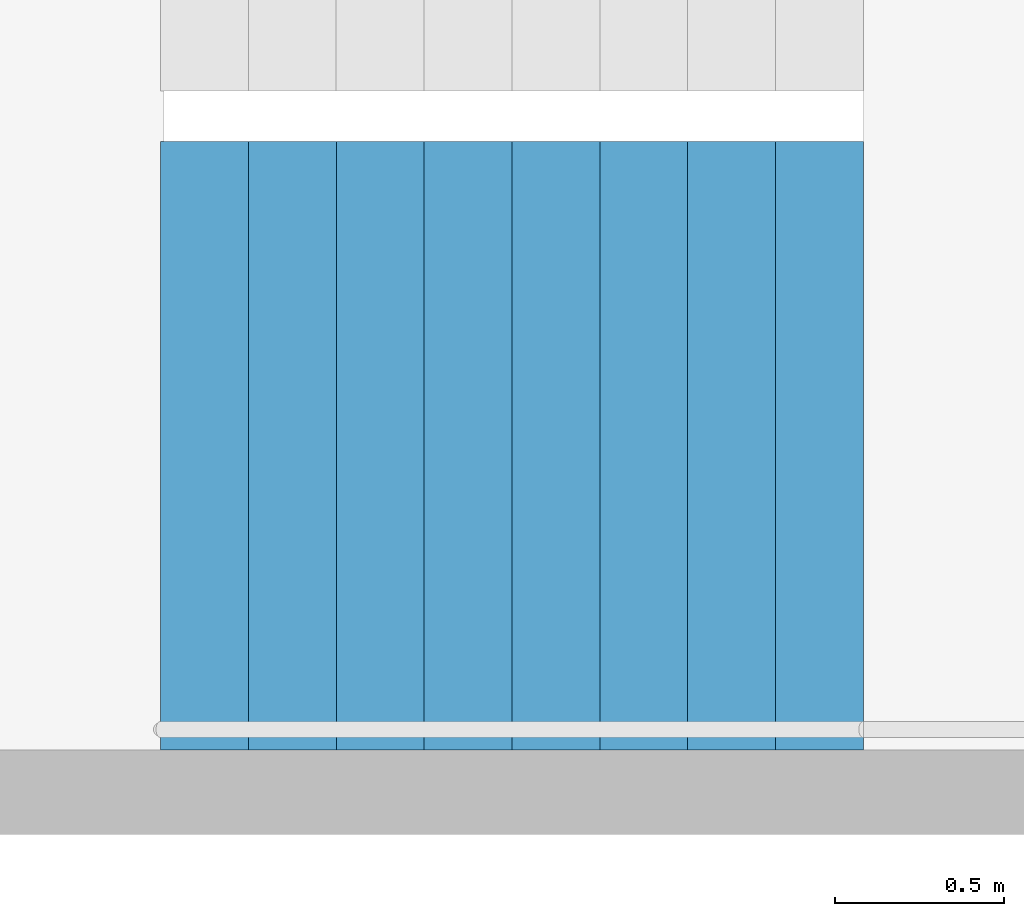
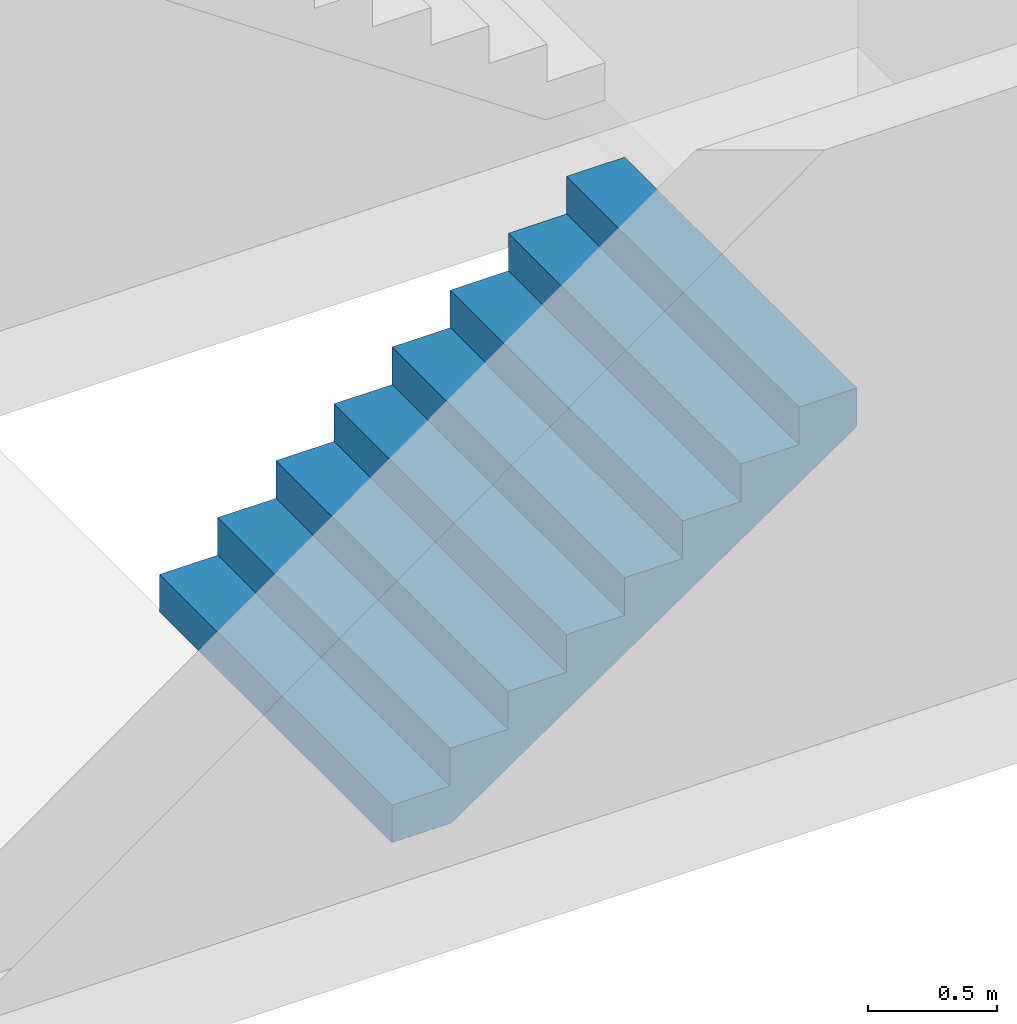
# One storey, part 23 of 29: 1 stair flight, 1 element without a shape of its own.
"""IFC4 building model written with IfcOpenShell, lengths in metres."""

import ifcopenshell
import ifcopenshell.guid

model = None  # the IFC model being written
_history = None  # IfcOwnerHistory: only IFC2X3 demands one
_inside = {}  # id of a spatial element -> (the spatial element, [elements in it])
_under = {}  # id of a project, library or spatial element -> (it, [spatial elements below it])
_declared = {}  # id of a project -> (the project, [libraries it declares])
_typed = {}  # id of a type object -> (the type object, [elements of that type])
_made_of = {}  # id of a material, layer set ... -> (it, [elements and type objects made of it])


def new_model(schema):
    """Start an empty IFC model of exactly this schema.

    Asked for "IFC4X3", IfcOpenShell would pick the latest addendum, in which some entities
    have other attributes; the version numbers below select the first issue.
    IFC2X3 requires an IfcOwnerHistory on every rooted entity: one is made here for all.
    """
    global model, _history
    if schema == "IFC4X3":
        model = ifcopenshell.file(schema_version=(4, 3, 0, 0))
    else:
        model = ifcopenshell.file(schema=schema)
    _inside.clear()
    _under.clear()
    _declared.clear()
    _typed.clear()
    _made_of.clear()
    _history = None
    if model.schema == "IFC2X3":
        org = make("IfcOrganization", Name="unknown")
        user = make(
            "IfcPersonAndOrganization",
            ThePerson=make("IfcPerson", FamilyName="unknown"),
            TheOrganization=org,
        )
        app = make(
            "IfcApplication",
            ApplicationDeveloper=org,
            Version="unknown",
            ApplicationFullName="unknown",
            ApplicationIdentifier="unknown",
        )
        _history = make(
            "IfcOwnerHistory",
            OwningUser=user,
            OwningApplication=app,
            ChangeAction="ADDED",
            CreationDate=0,
        )
    return model


def make(cls, **values):
    """One entity of the class cls with the attributes given. An attribute that is None is left unset."""
    return model.create_entity(
        cls, **{name: value for name, value in values.items() if value is not None}
    )


def rooted(cls, **values):
    """An entity with a GlobalId (a new one), such as an element, a storey or a relation."""
    return make(cls, GlobalId=ifcopenshell.guid.new(), OwnerHistory=_history, **values)


def si_unit(unit_type, name, prefix=None):
    """IfcSIUnit, for example si_unit("LENGTHUNIT", "METRE", prefix="MILLI")."""
    return make("IfcSIUnit", UnitType=unit_type, Prefix=prefix, Name=name)


def assignment(units):
    """IfcUnitAssignment: the units of a project."""
    return None if units is None else make("IfcUnitAssignment", Units=units)


def point(xyz):
    """IfcCartesianPoint."""
    return None if xyz is None else make("IfcCartesianPoint", Coordinates=xyz)


def direction(xyz):
    """IfcDirection."""
    return None if xyz is None else make("IfcDirection", DirectionRatios=xyz)


def frame(location, z_axis=None, x_axis=None):
    """IfcAxis2Placement3D, a coordinate frame: its origin and axes. An axis left out is left unset."""
    return make(
        "IfcAxis2Placement3D",
        Location=point(location),
        Axis=direction(z_axis),
        RefDirection=direction(x_axis),
    )


def origin():
    """The frame at (0, 0, 0) with its axes left unset."""
    return frame((0.0, 0.0, 0.0))


def place(relative_to, where):
    """IfcLocalPlacement: puts the frame where relative to a parent placement (None: the world)."""
    return make(
        "IfcLocalPlacement", PlacementRelTo=relative_to, RelativePlacement=where
    )


def context(
    kind, dimensions, precision=None, world=None, true_north=None, identifier=None
):
    """IfcGeometricRepresentationContext, for example the 3D "Model" context."""
    return make(
        "IfcGeometricRepresentationContext",
        ContextIdentifier=identifier,
        ContextType=kind,
        CoordinateSpaceDimension=dimensions,
        Precision=precision,
        WorldCoordinateSystem=world,
        TrueNorth=true_north,
    )


def subcontext(parent, identifier, kind, view, scale=None):
    """IfcGeometricRepresentationSubContext, for example "Body" below "Model"."""
    return make(
        "IfcGeometricRepresentationSubContext",
        ContextIdentifier=identifier,
        ContextType=kind,
        ParentContext=parent,
        TargetScale=scale,
        TargetView=view,
    )


def project(units=None, contexts=None):
    """IfcProject with its units and contexts."""
    return rooted(
        "IfcProject",
        Name="project",
        RepresentationContexts=contexts,
        UnitsInContext=assignment(units),
    )


def spatial(cls, under=None, at=None, **own):
    """A site, building, storey or space (cls), placed at a placement, below another one or the project."""
    s = rooted(cls, ObjectPlacement=at, **own)
    if under is not None:
        _under.setdefault(under.id(), (under, []))[1].append(s)
    return s


def point_list(points):
    """IfcCartesianPointList2D or 3D."""
    cls = (
        "IfcCartesianPointList2D" if len(points[0]) == 2 else "IfcCartesianPointList3D"
    )
    return make(cls, CoordList=points)


def triangles(points, corners, closed=None, point_numbers=None):
    """IfcTriangulatedFaceSet: each triangle names its three corners, points numbered from 1."""
    return make(
        "IfcTriangulatedFaceSet",
        Coordinates=point_list(points),
        Closed=closed,
        CoordIndex=corners,
        PnIndex=point_numbers,
    )


def shape(context_of_items, identifier, shape_type, items):
    """IfcShapeRepresentation: the items that make up one representation, for example the "Body"."""
    return make(
        "IfcShapeRepresentation",
        ContextOfItems=context_of_items,
        RepresentationIdentifier=identifier,
        RepresentationType=shape_type,
        Items=items,
    )


def material(Name=None, Category=None):
    """IfcMaterial."""
    return make("IfcMaterial", Name=Name, Category=Category)


def made_of(thing, what):
    """Note that an element or type object is made of a material, layer set ...; save() writes the relation."""
    if what is not None:
        _made_of.setdefault(what.id(), (what, []))[1].append(thing)
    return thing


def type_object(cls, material=None, **own):
    """A type object (cls), such as IfcWallType, which elements share."""
    return made_of(rooted(cls, **own), material)


def element(
    cls,
    number,
    at=None,
    inside=None,
    cuts=None,
    type_object=None,
    material=None,
    context=None,
    identifier="Body",
    shape_type=None,
    held_by="IfcProductDefinitionShape",
    body=None,
    shapes=None,
    **own,
):
    """One element of the class cls, such as IfcWall. Its Tag is "e" and its number.

    at: its placement. inside: the storey or other place that contains it. cuts: it is an
    opening in that element (IfcRelVoidsElement). A single representation is given by context,
    identifier, shape_type and body (its items); several are given by shapes. held_by: the class
    of the entity that holds the representations. save() writes the other relations.
    """
    e = rooted(cls, Tag="e%d" % number, ObjectPlacement=at, **own)
    if body is not None:
        shapes = [shape(context, identifier, shape_type, body)]
    if shapes is not None:
        e.Representation = make(held_by, Representations=shapes)
    if inside is not None:
        _inside.setdefault(inside.id(), (inside, []))[1].append(e)
    if cuts is not None:
        rooted(
            "IfcRelVoidsElement", RelatingBuildingElement=cuts, RelatedOpeningElement=e
        )
    if type_object is not None:
        _typed.setdefault(type_object.id(), (type_object, []))[1].append(e)
    return made_of(e, material)


def aggregate(whole, parts):
    """IfcRelAggregates: a whole, such as a stair, and the parts it consists of."""
    return rooted("IfcRelAggregates", RelatingObject=whole, RelatedObjects=parts)


def save(model, path):
    """Write the relations noted so far, then the file.

    IfcRelAggregates (storeys below a building ...), IfcRelContainedInSpatialStructure (elements
    in a storey), IfcRelDefinesByType, IfcRelAssociatesMaterial and IfcRelDeclares: one each for
    every whole, place, type object, material and project.
    """
    for whole, parts in _under.values():
        aggregate(whole, parts)
    for where, things in _inside.values():
        rooted(
            "IfcRelContainedInSpatialStructure",
            RelatedElements=things,
            RelatingStructure=where,
        )
    for kind, things in _typed.values():
        rooted("IfcRelDefinesByType", RelatedObjects=things, RelatingType=kind)
    for what, things in _made_of.values():
        rooted("IfcRelAssociatesMaterial", RelatedObjects=things, RelatingMaterial=what)
    for by, libraries in _declared.values():
        rooted("IfcRelDeclares", RelatingContext=by, RelatedDefinitions=libraries)
    model.write(path)


model = new_model("IFC4")

# Units and contexts
model_context = context("Model", 3, precision=1e-05, world=origin(), true_north=direction((0.0, 1.0)))
body_context = subcontext(model_context, "Body", "Model", "MODEL_VIEW")
ifc_project = project(units=[si_unit("LENGTHUNIT", "METRE"), si_unit("AREAUNIT", "SQUARE_METRE"), si_unit("VOLUMEUNIT", "CUBIC_METRE"), si_unit("PLANEANGLEUNIT", "RADIAN"), si_unit("MASSUNIT", "GRAM", prefix="KILO")], contexts=[model_context])

# Site, building, storey
site_placement = place(None, origin())
site = spatial("IfcSite", under=ifc_project, at=site_placement, CompositionType="ELEMENT")
building_placement = place(site_placement, origin())
building = spatial("IfcBuilding", under=site, at=building_placement, Name="Hakoniwa Tower and Hamabe Station Hall", CompositionType="ELEMENT")
storey_placement = place(building_placement, frame((0.0, 0.0, 88.199951171875)))
storey = spatial("IfcBuildingStorey", under=building, at=storey_placement, Name="L24", CompositionType="ELEMENT", Elevation=88.199951171875)

# Stair, stair flight
ifc_material_1 = material(Name="Concrete C40", Category="concrete")
stair_type = type_object("IfcStairType", Name="ESCAPE STAIR 1800", PredefinedType="HALF_TURN_STAIR", material=ifc_material_1)
stair_placement = place(storey_placement, origin())
stair = element("IfcStair", 1, at=stair_placement, inside=storey, type_object=stair_type, Name="Escape stair ST-1 L24", PredefinedType="HALF_TURN_STAIR")
ifc_material_2 = material(Name="Concrete C40", Category="concrete")
stair_flight_type = type_object("IfcStairFlightType", Name="STAIR FLIGHT 1800", PredefinedType="STRAIGHT", material=ifc_material_2)
stair_flight_placement = place(storey_placement, frame((-24.39990234375, 4.64990234375, 0.0), z_axis=(0.0, 0.0, 1.0), x_axis=(1.0, 0.0, 0.0)))
stair_flight = element("IfcStairFlight", 2, at=stair_flight_placement, type_object=stair_flight_type, Name="ST-1 flight 1", NumberOfRisers=9, NumberOfTreads=8, PredefinedType="STRAIGHT", RiserHeight=0.177777778, TreadLength=0.26, context=body_context, shape_type="Tessellation", body=[
    triangles([(0.0, 0.89990234375, 0.0), (0.260009765625, 0.89990234375, 0.0), (0.265625, 0.89990234375, 0.0), (0.52001953125, 0.89990234375, 0.174072265625), (0.780029296875, 0.89990234375, 0.351806640625), (1.0400390625, 0.89990234375, 0.529541015625), (1.300048828125, 0.89990234375, 0.707275390625), (1.56005859375, 0.89990234375, 0.885009765625), (1.820068359375, 0.89990234375, 1.062744140625), (2.080078125, 0.89990234375, 1.24072265625), (2.080078125, 0.89990234375, 1.422119140625), (1.820068359375, 0.89990234375, 1.422119140625), (1.820068359375, 0.89990234375, 1.244384765625), (1.56005859375, 0.89990234375, 1.244384765625), (1.56005859375, 0.89990234375, 1.066650390625), (1.300048828125, 0.89990234375, 1.066650390625), (1.300048828125, 0.89990234375, 0.888916015625), (1.0400390625, 0.89990234375, 0.888916015625), (1.0400390625, 0.89990234375, 0.711181640625), (0.780029296875, 0.89990234375, 0.711181640625), (0.780029296875, 0.89990234375, 0.533447265625), (0.52001953125, 0.89990234375, 0.533447265625), (0.52001953125, 0.89990234375, 0.35546875), (0.265625, 0.89990234375, 0.35546875), (0.260009765625, 0.89990234375, 0.35546875), (0.260009765625, 0.89990234375, 0.177734375), (0.0, 0.89990234375, 0.177734375), (0.0, 0.06005859375, 0.0), (0.260009765625, 0.06005859375, 0.0), (0.265625, 0.06005859375, 0.0), (0.52001953125, 0.06005859375, 0.174072265625), (0.780029296875, 0.06005859375, 0.351806640625), (1.0400390625, 0.06005859375, 0.529541015625), (1.300048828125, 0.06005859375, 0.707275390625), (1.56005859375, 0.06005859375, 0.885009765625), (1.820068359375, 0.06005859375, 1.062744140625), (2.080078125, 0.06005859375, 1.24072265625), (2.080078125, 0.06005859375, 1.422119140625), (1.820068359375, 0.06005859375, 1.422119140625), (1.820068359375, 0.06005859375, 1.244384765625), (1.56005859375, 0.06005859375, 1.244384765625), (1.56005859375, 0.06005859375, 1.066650390625), (1.300048828125, 0.06005859375, 1.066650390625), (1.300048828125, 0.06005859375, 0.888916015625), (1.0400390625, 0.06005859375, 0.888916015625), (1.0400390625, 0.06005859375, 0.711181640625), (0.780029296875, 0.06005859375, 0.711181640625), (0.780029296875, 0.06005859375, 0.533447265625), (0.52001953125, 0.06005859375, 0.533447265625), (0.52001953125, 0.06005859375, 0.35546875), (0.265625, 0.06005859375, 0.35546875), (0.260009765625, 0.06005859375, 0.35546875), (0.260009765625, 0.06005859375, 0.177734375), (0.0, 0.06005859375, 0.177734375), (0.0, 0.04296875, 0.0), (0.260009765625, 0.04296875, 0.0), (0.265625, 0.04296875, 0.0), (0.52001953125, 0.04296875, 0.174072265625), (0.780029296875, 0.04296875, 0.351806640625), (1.0400390625, 0.04296875, 0.529541015625), (1.300048828125, 0.04296875, 0.707275390625), (1.56005859375, 0.04296875, 0.885009765625), (1.820068359375, 0.04296875, 1.062744140625), (2.080078125, 0.04296875, 1.24072265625), (2.080078125, 0.04296875, 1.422119140625), (1.820068359375, 0.04296875, 1.422119140625), (1.820068359375, 0.04296875, 1.244384765625), (1.56005859375, 0.04296875, 1.244384765625), (1.56005859375, 0.04296875, 1.066650390625), (1.300048828125, 0.04296875, 1.066650390625), (1.300048828125, 0.04296875, 0.888916015625), (1.0400390625, 0.04296875, 0.888916015625), (1.0400390625, 0.04296875, 0.711181640625), (0.780029296875, 0.04296875, 0.711181640625), (0.780029296875, 0.04296875, 0.533447265625), (0.52001953125, 0.04296875, 0.533447265625), (0.52001953125, 0.04296875, 0.35546875), (0.265625, 0.04296875, 0.35546875), (0.260009765625, 0.04296875, 0.35546875), (0.260009765625, 0.04296875, 0.177734375), (0.0, 0.04296875, 0.177734375), (0.0, 0.025634765625, 0.0), (0.260009765625, 0.025634765625, 0.0), (0.265625, 0.025634765625, 0.0), (0.52001953125, 0.025634765625, 0.174072265625), (0.780029296875, 0.025634765625, 0.351806640625), (1.0400390625, 0.025634765625, 0.529541015625), (1.300048828125, 0.025634765625, 0.707275390625), (1.56005859375, 0.025634765625, 0.885009765625), (1.820068359375, 0.025634765625, 1.062744140625), (2.080078125, 0.025634765625, 1.24072265625), (2.080078125, 0.025634765625, 1.422119140625), (1.820068359375, 0.025634765625, 1.422119140625), (1.820068359375, 0.025634765625, 1.244384765625), (1.56005859375, 0.025634765625, 1.244384765625), (1.56005859375, 0.025634765625, 1.066650390625), (1.300048828125, 0.025634765625, 1.066650390625), (1.300048828125, 0.025634765625, 0.888916015625), (1.0400390625, 0.025634765625, 0.888916015625), (1.0400390625, 0.025634765625, 0.711181640625), (0.780029296875, 0.025634765625, 0.711181640625), (0.780029296875, 0.025634765625, 0.533447265625), (0.52001953125, 0.025634765625, 0.533447265625), (0.52001953125, 0.025634765625, 0.35546875), (0.265625, 0.025634765625, 0.35546875), (0.260009765625, 0.025634765625, 0.35546875), (0.260009765625, 0.025634765625, 0.177734375), (0.0, 0.025634765625, 0.177734375), (0.0, 0.008544921875, 0.0), (0.260009765625, 0.008544921875, 0.0), (0.265625, 0.008544921875, 0.0), (0.52001953125, 0.008544921875, 0.174072265625), (0.780029296875, 0.008544921875, 0.351806640625), (1.0400390625, 0.008544921875, 0.529541015625), (1.300048828125, 0.008544921875, 0.707275390625), (1.56005859375, 0.008544921875, 0.885009765625), (1.820068359375, 0.008544921875, 1.062744140625), (2.080078125, 0.008544921875, 1.24072265625), (2.080078125, 0.008544921875, 1.422119140625), (1.820068359375, 0.008544921875, 1.422119140625), (1.820068359375, 0.008544921875, 1.244384765625), (1.56005859375, 0.008544921875, 1.244384765625), (1.56005859375, 0.008544921875, 1.066650390625), (1.300048828125, 0.008544921875, 1.066650390625), (1.300048828125, 0.008544921875, 0.888916015625), (1.0400390625, 0.008544921875, 0.888916015625), (1.0400390625, 0.008544921875, 0.711181640625), (0.780029296875, 0.008544921875, 0.711181640625), (0.780029296875, 0.008544921875, 0.533447265625), (0.52001953125, 0.008544921875, 0.533447265625), (0.52001953125, 0.008544921875, 0.35546875), (0.265625, 0.008544921875, 0.35546875), (0.260009765625, 0.008544921875, 0.35546875), (0.260009765625, 0.008544921875, 0.177734375), (0.0, 0.008544921875, 0.177734375), (0.0, -0.008544921875, 0.0), (0.260009765625, -0.008544921875, 0.0), (0.265625, -0.008544921875, 0.0), (0.52001953125, -0.008544921875, 0.174072265625), (0.780029296875, -0.008544921875, 0.351806640625), (1.0400390625, -0.008544921875, 0.529541015625), (1.300048828125, -0.008544921875, 0.707275390625), (1.56005859375, -0.008544921875, 0.885009765625), (1.820068359375, -0.008544921875, 1.062744140625), (2.080078125, -0.008544921875, 1.24072265625), (2.080078125, -0.008544921875, 1.422119140625), (1.820068359375, -0.008544921875, 1.422119140625), (1.820068359375, -0.008544921875, 1.244384765625), (1.56005859375, -0.008544921875, 1.244384765625), (1.56005859375, -0.008544921875, 1.066650390625), (1.300048828125, -0.008544921875, 1.066650390625), (1.300048828125, -0.008544921875, 0.888916015625), (1.0400390625, -0.008544921875, 0.888916015625), (1.0400390625, -0.008544921875, 0.711181640625), (0.780029296875, -0.008544921875, 0.711181640625), (0.780029296875, -0.008544921875, 0.533447265625), (0.52001953125, -0.008544921875, 0.533447265625), (0.52001953125, -0.008544921875, 0.35546875), (0.265625, -0.008544921875, 0.35546875), (0.260009765625, -0.008544921875, 0.35546875), (0.260009765625, -0.008544921875, 0.177734375), (0.0, -0.008544921875, 0.177734375), (0.0, -0.025634765625, 0.0), (0.260009765625, -0.025634765625, 0.0), (0.265625, -0.025634765625, 0.0), (0.52001953125, -0.025634765625, 0.174072265625), (0.780029296875, -0.025634765625, 0.351806640625), (1.0400390625, -0.025634765625, 0.529541015625), (1.300048828125, -0.025634765625, 0.707275390625), (1.56005859375, -0.025634765625, 0.885009765625), (1.820068359375, -0.025634765625, 1.062744140625), (2.080078125, -0.025634765625, 1.24072265625), (2.080078125, -0.025634765625, 1.422119140625), (1.820068359375, -0.025634765625, 1.422119140625), (1.820068359375, -0.025634765625, 1.244384765625), (1.56005859375, -0.025634765625, 1.244384765625), (1.56005859375, -0.025634765625, 1.066650390625), (1.300048828125, -0.025634765625, 1.066650390625), (1.300048828125, -0.025634765625, 0.888916015625), (1.0400390625, -0.025634765625, 0.888916015625), (1.0400390625, -0.025634765625, 0.711181640625), (0.780029296875, -0.025634765625, 0.711181640625), (0.780029296875, -0.025634765625, 0.533447265625), (0.52001953125, -0.025634765625, 0.533447265625), (0.52001953125, -0.025634765625, 0.35546875), (0.265625, -0.025634765625, 0.35546875), (0.260009765625, -0.025634765625, 0.35546875), (0.260009765625, -0.025634765625, 0.177734375), (0.0, -0.025634765625, 0.177734375), (0.0, -0.04296875, 0.0), (0.260009765625, -0.04296875, 0.0), (0.265625, -0.04296875, 0.0), (0.52001953125, -0.04296875, 0.174072265625), (0.780029296875, -0.04296875, 0.351806640625), (1.0400390625, -0.04296875, 0.529541015625), (1.300048828125, -0.04296875, 0.707275390625), (1.56005859375, -0.04296875, 0.885009765625), (1.820068359375, -0.04296875, 1.062744140625), (2.080078125, -0.04296875, 1.24072265625), (2.080078125, -0.04296875, 1.422119140625), (1.820068359375, -0.04296875, 1.422119140625), (1.820068359375, -0.04296875, 1.244384765625), (1.56005859375, -0.04296875, 1.244384765625), (1.56005859375, -0.04296875, 1.066650390625), (1.300048828125, -0.04296875, 1.066650390625), (1.300048828125, -0.04296875, 0.888916015625), (1.0400390625, -0.04296875, 0.888916015625), (1.0400390625, -0.04296875, 0.711181640625), (0.780029296875, -0.04296875, 0.711181640625), (0.780029296875, -0.04296875, 0.533447265625), (0.52001953125, -0.04296875, 0.533447265625), (0.52001953125, -0.04296875, 0.35546875), (0.265625, -0.04296875, 0.35546875), (0.260009765625, -0.04296875, 0.35546875), (0.260009765625, -0.04296875, 0.177734375), (0.0, -0.04296875, 0.177734375), (0.0, -0.06005859375, 0.0), (0.260009765625, -0.06005859375, 0.0), (0.265625, -0.06005859375, 0.0), (0.52001953125, -0.06005859375, 0.174072265625), (0.780029296875, -0.06005859375, 0.351806640625), (1.0400390625, -0.06005859375, 0.529541015625), (1.300048828125, -0.06005859375, 0.707275390625), (1.56005859375, -0.06005859375, 0.885009765625), (1.820068359375, -0.06005859375, 1.062744140625), (2.080078125, -0.06005859375, 1.24072265625), (2.080078125, -0.06005859375, 1.422119140625), (1.820068359375, -0.06005859375, 1.422119140625), (1.820068359375, -0.06005859375, 1.244384765625), (1.56005859375, -0.06005859375, 1.244384765625), (1.56005859375, -0.06005859375, 1.066650390625), (1.300048828125, -0.06005859375, 1.066650390625), (1.300048828125, -0.06005859375, 0.888916015625), (1.0400390625, -0.06005859375, 0.888916015625), (1.0400390625, -0.06005859375, 0.711181640625), (0.780029296875, -0.06005859375, 0.711181640625), (0.780029296875, -0.06005859375, 0.533447265625), (0.52001953125, -0.06005859375, 0.533447265625), (0.52001953125, -0.06005859375, 0.35546875), (0.265625, -0.06005859375, 0.35546875), (0.260009765625, -0.06005859375, 0.35546875), (0.260009765625, -0.06005859375, 0.177734375), (0.0, -0.06005859375, 0.177734375), (0.0, -0.89990234375, 0.0), (0.260009765625, -0.89990234375, 0.0), (0.265625, -0.89990234375, 0.0), (0.52001953125, -0.89990234375, 0.174072265625), (0.780029296875, -0.89990234375, 0.351806640625), (1.0400390625, -0.89990234375, 0.529541015625), (1.300048828125, -0.89990234375, 0.707275390625), (1.56005859375, -0.89990234375, 0.885009765625), (1.820068359375, -0.89990234375, 1.062744140625), (2.080078125, -0.89990234375, 1.24072265625), (2.080078125, -0.89990234375, 1.422119140625), (1.820068359375, -0.89990234375, 1.422119140625), (1.820068359375, -0.89990234375, 1.244384765625), (1.56005859375, -0.89990234375, 1.244384765625), (1.56005859375, -0.89990234375, 1.066650390625), (1.300048828125, -0.89990234375, 1.066650390625), (1.300048828125, -0.89990234375, 0.888916015625), (1.0400390625, -0.89990234375, 0.888916015625), (1.0400390625, -0.89990234375, 0.711181640625), (0.780029296875, -0.89990234375, 0.711181640625), (0.780029296875, -0.89990234375, 0.533447265625), (0.52001953125, -0.89990234375, 0.533447265625), (0.52001953125, -0.89990234375, 0.35546875), (0.265625, -0.89990234375, 0.35546875), (0.260009765625, -0.89990234375, 0.35546875), (0.260009765625, -0.89990234375, 0.177734375), (0.0, -0.89990234375, 0.177734375)], [[2, 27, 26], [245, 269, 270], [2, 1, 27], [245, 270, 244], [3, 25, 24], [246, 267, 268], [3, 26, 25], [246, 268, 269], [3, 2, 26], [246, 269, 245], [4, 24, 23], [247, 266, 267], [4, 3, 24], [247, 267, 246], [5, 22, 21], [248, 264, 265], [5, 23, 22], [248, 265, 266], [5, 4, 23], [248, 266, 247], [6, 20, 19], [249, 262, 263], [6, 21, 20], [249, 263, 264], [6, 5, 21], [249, 264, 248], [7, 18, 17], [250, 260, 261], [7, 19, 18], [250, 261, 262], [7, 6, 19], [250, 262, 249], [8, 16, 15], [251, 258, 259], [8, 17, 16], [251, 259, 260], [8, 7, 17], [251, 260, 250], [9, 14, 13], [252, 256, 257], [9, 15, 14], [252, 257, 258], [9, 8, 15], [252, 258, 251], [10, 12, 11], [253, 254, 255], [10, 13, 12], [253, 255, 256], [10, 9, 13], [253, 256, 252], [1, 2, 29], [1, 29, 28], [28, 29, 56], [28, 56, 55], [55, 56, 83], [55, 83, 82], [82, 83, 110], [82, 110, 109], [109, 110, 137], [109, 137, 136], [136, 137, 164], [136, 164, 163], [163, 164, 191], [163, 191, 190], [190, 191, 218], [190, 218, 217], [217, 218, 245], [217, 245, 244], [2, 3, 30], [2, 30, 29], [29, 30, 57], [29, 57, 56], [56, 57, 84], [56, 84, 83], [83, 84, 111], [83, 111, 110], [110, 111, 138], [110, 138, 137], [137, 138, 165], [137, 165, 164], [164, 165, 192], [164, 192, 191], [191, 192, 219], [191, 219, 218], [218, 219, 246], [218, 246, 245], [3, 4, 31], [3, 31, 30], [30, 31, 58], [30, 58, 57], [57, 58, 85], [57, 85, 84], [84, 85, 112], [84, 112, 111], [111, 112, 139], [111, 139, 138], [138, 139, 166], [138, 166, 165], [165, 166, 193], [165, 193, 192], [192, 193, 220], [192, 220, 219], [219, 220, 247], [219, 247, 246], [4, 5, 32], [4, 32, 31], [31, 32, 59], [31, 59, 58], [58, 59, 86], [58, 86, 85], [85, 86, 113], [85, 113, 112], [112, 113, 140], [112, 140, 139], [139, 140, 167], [139, 167, 166], [166, 167, 194], [166, 194, 193], [193, 194, 221], [193, 221, 220], [220, 221, 248], [220, 248, 247], [5, 6, 33], [5, 33, 32], [32, 33, 60], [32, 60, 59], [59, 60, 87], [59, 87, 86], [86, 87, 114], [86, 114, 113], [113, 114, 141], [113, 141, 140], [140, 141, 168], [140, 168, 167], [167, 168, 195], [167, 195, 194], [194, 195, 222], [194, 222, 221], [221, 222, 249], [221, 249, 248], [6, 7, 34], [6, 34, 33], [33, 34, 61], [33, 61, 60], [60, 61, 88], [60, 88, 87], [87, 88, 115], [87, 115, 114], [114, 115, 142], [114, 142, 141], [141, 142, 169], [141, 169, 168], [168, 169, 196], [168, 196, 195], [195, 196, 223], [195, 223, 222], [222, 223, 250], [222, 250, 249], [7, 8, 35], [7, 35, 34], [34, 35, 62], [34, 62, 61], [61, 62, 89], [61, 89, 88], [88, 89, 116], [88, 116, 115], [115, 116, 143], [115, 143, 142], [142, 143, 170], [142, 170, 169], [169, 170, 197], [169, 197, 196], [196, 197, 224], [196, 224, 223], [223, 224, 251], [223, 251, 250], [8, 9, 36], [8, 36, 35], [35, 36, 63], [35, 63, 62], [62, 63, 90], [62, 90, 89], [89, 90, 117], [89, 117, 116], [116, 117, 144], [116, 144, 143], [143, 144, 171], [143, 171, 170], [170, 171, 198], [170, 198, 197], [197, 198, 225], [197, 225, 224], [224, 225, 252], [224, 252, 251], [9, 10, 37], [9, 37, 36], [36, 37, 64], [36, 64, 63], [63, 64, 91], [63, 91, 90], [90, 91, 118], [90, 118, 117], [117, 118, 145], [117, 145, 144], [144, 145, 172], [144, 172, 171], [171, 172, 199], [171, 199, 198], [198, 199, 226], [198, 226, 225], [225, 226, 253], [225, 253, 252], [10, 11, 38], [10, 38, 37], [37, 38, 65], [37, 65, 64], [64, 65, 92], [64, 92, 91], [91, 92, 119], [91, 119, 118], [118, 119, 146], [118, 146, 145], [145, 146, 173], [145, 173, 172], [172, 173, 200], [172, 200, 199], [199, 200, 227], [199, 227, 226], [226, 227, 254], [226, 254, 253], [11, 12, 39], [11, 39, 38], [38, 39, 66], [38, 66, 65], [65, 66, 93], [65, 93, 92], [92, 93, 120], [92, 120, 119], [119, 120, 147], [119, 147, 146], [146, 147, 174], [146, 174, 173], [173, 174, 201], [173, 201, 200], [200, 201, 228], [200, 228, 227], [227, 228, 255], [227, 255, 254], [12, 13, 40], [12, 40, 39], [39, 40, 67], [39, 67, 66], [66, 67, 94], [66, 94, 93], [93, 94, 121], [93, 121, 120], [120, 121, 148], [120, 148, 147], [147, 148, 175], [147, 175, 174], [174, 175, 202], [174, 202, 201], [201, 202, 229], [201, 229, 228], [228, 229, 256], [228, 256, 255], [13, 14, 41], [13, 41, 40], [40, 41, 68], [40, 68, 67], [67, 68, 95], [67, 95, 94], [94, 95, 122], [94, 122, 121], [121, 122, 149], [121, 149, 148], [148, 149, 176], [148, 176, 175], [175, 176, 203], [175, 203, 202], [202, 203, 230], [202, 230, 229], [229, 230, 257], [229, 257, 256], [14, 15, 42], [14, 42, 41], [41, 42, 69], [41, 69, 68], [68, 69, 96], [68, 96, 95], [95, 96, 123], [95, 123, 122], [122, 123, 150], [122, 150, 149], [149, 150, 177], [149, 177, 176], [176, 177, 204], [176, 204, 203], [203, 204, 231], [203, 231, 230], [230, 231, 258], [230, 258, 257], [15, 16, 43], [15, 43, 42], [42, 43, 70], [42, 70, 69], [69, 70, 97], [69, 97, 96], [96, 97, 124], [96, 124, 123], [123, 124, 151], [123, 151, 150], [150, 151, 178], [150, 178, 177], [177, 178, 205], [177, 205, 204], [204, 205, 232], [204, 232, 231], [231, 232, 259], [231, 259, 258], [16, 17, 44], [16, 44, 43], [43, 44, 71], [43, 71, 70], [70, 71, 98], [70, 98, 97], [97, 98, 125], [97, 125, 124], [124, 125, 152], [124, 152, 151], [151, 152, 179], [151, 179, 178], [178, 179, 206], [178, 206, 205], [205, 206, 233], [205, 233, 232], [232, 233, 260], [232, 260, 259], [17, 18, 45], [17, 45, 44], [44, 45, 72], [44, 72, 71], [71, 72, 99], [71, 99, 98], [98, 99, 126], [98, 126, 125], [125, 126, 153], [125, 153, 152], [152, 153, 180], [152, 180, 179], [179, 180, 207], [179, 207, 206], [206, 207, 234], [206, 234, 233], [233, 234, 261], [233, 261, 260], [18, 19, 46], [18, 46, 45], [45, 46, 73], [45, 73, 72], [72, 73, 100], [72, 100, 99], [99, 100, 127], [99, 127, 126], [126, 127, 154], [126, 154, 153], [153, 154, 181], [153, 181, 180], [180, 181, 208], [180, 208, 207], [207, 208, 235], [207, 235, 234], [234, 235, 262], [234, 262, 261], [19, 20, 47], [19, 47, 46], [46, 47, 74], [46, 74, 73], [73, 74, 101], [73, 101, 100], [100, 101, 128], [100, 128, 127], [127, 128, 155], [127, 155, 154], [154, 155, 182], [154, 182, 181], [181, 182, 209], [181, 209, 208], [208, 209, 236], [208, 236, 235], [235, 236, 263], [235, 263, 262], [20, 21, 48], [20, 48, 47], [47, 48, 75], [47, 75, 74], [74, 75, 102], [74, 102, 101], [101, 102, 129], [101, 129, 128], [128, 129, 156], [128, 156, 155], [155, 156, 183], [155, 183, 182], [182, 183, 210], [182, 210, 209], [209, 210, 237], [209, 237, 236], [236, 237, 264], [236, 264, 263], [21, 22, 49], [21, 49, 48], [48, 49, 76], [48, 76, 75], [75, 76, 103], [75, 103, 102], [102, 103, 130], [102, 130, 129], [129, 130, 157], [129, 157, 156], [156, 157, 184], [156, 184, 183], [183, 184, 211], [183, 211, 210], [210, 211, 238], [210, 238, 237], [237, 238, 265], [237, 265, 264], [22, 23, 50], [22, 50, 49], [49, 50, 77], [49, 77, 76], [76, 77, 104], [76, 104, 103], [103, 104, 131], [103, 131, 130], [130, 131, 158], [130, 158, 157], [157, 158, 185], [157, 185, 184], [184, 185, 212], [184, 212, 211], [211, 212, 239], [211, 239, 238], [238, 239, 266], [238, 266, 265], [23, 24, 51], [23, 51, 50], [50, 51, 78], [50, 78, 77], [77, 78, 105], [77, 105, 104], [104, 105, 132], [104, 132, 131], [131, 132, 159], [131, 159, 158], [158, 159, 186], [158, 186, 185], [185, 186, 213], [185, 213, 212], [212, 213, 240], [212, 240, 239], [239, 240, 267], [239, 267, 266], [24, 25, 52], [24, 52, 51], [51, 52, 79], [51, 79, 78], [78, 79, 106], [78, 106, 105], [105, 106, 133], [105, 133, 132], [132, 133, 160], [132, 160, 159], [159, 160, 187], [159, 187, 186], [186, 187, 214], [186, 214, 213], [213, 214, 241], [213, 241, 240], [240, 241, 268], [240, 268, 267], [25, 26, 53], [25, 53, 52], [52, 53, 80], [52, 80, 79], [79, 80, 107], [79, 107, 106], [106, 107, 134], [106, 134, 133], [133, 134, 161], [133, 161, 160], [160, 161, 188], [160, 188, 187], [187, 188, 215], [187, 215, 214], [214, 215, 242], [214, 242, 241], [241, 242, 269], [241, 269, 268], [26, 27, 54], [26, 54, 53], [53, 54, 81], [53, 81, 80], [80, 81, 108], [80, 108, 107], [107, 108, 135], [107, 135, 134], [134, 135, 162], [134, 162, 161], [161, 162, 189], [161, 189, 188], [188, 189, 216], [188, 216, 215], [215, 216, 243], [215, 243, 242], [242, 243, 270], [242, 270, 269], [27, 1, 28], [27, 28, 54], [54, 28, 55], [54, 55, 81], [81, 55, 82], [81, 82, 108], [108, 82, 109], [108, 109, 135], [135, 109, 136], [135, 136, 162], [162, 136, 163], [162, 163, 189], [189, 163, 190], [189, 190, 216], [216, 190, 217], [216, 217, 243], [243, 217, 244], [243, 244, 270]], closed=True),
])
aggregate(stair, [stair_flight])

save(model, "model.ifc")
